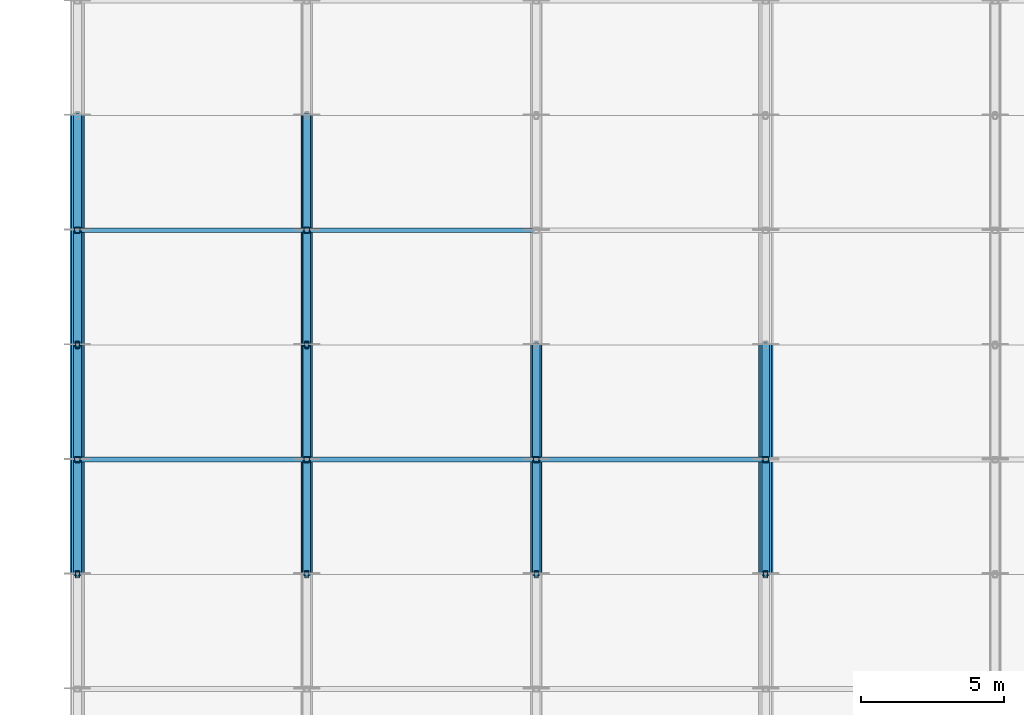
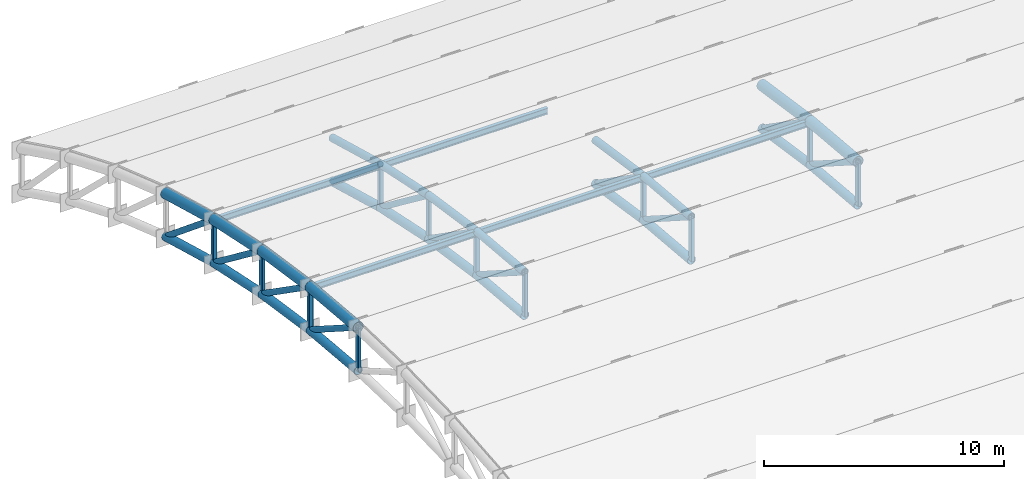
# One storey, part 15 of 98: 53 members.
"""IFC4 building model written with IfcOpenShell, lengths in metres."""

from ifc_helpers import new_model, si_unit, direction, frame, origin, origin_2d, place, context, subcontext, project, spatial, hollow_rectangle, hollow_circle, i_section, extrude, material, material_profile, profile_set, type_object, element, save


model = new_model("IFC4")

# Units and contexts
model_context = context("Model", 3, precision=1e-05, world=origin(), true_north=direction((0.0, 1.0)))
body_context = subcontext(model_context, "Body", "Model", "MODEL_VIEW")
ifc_project = project(units=[si_unit("LENGTHUNIT", "METRE"), si_unit("AREAUNIT", "SQUARE_METRE"), si_unit("VOLUMEUNIT", "CUBIC_METRE"), si_unit("PLANEANGLEUNIT", "RADIAN"), si_unit("MASSUNIT", "GRAM", prefix="KILO")], contexts=[model_context])

# Site, building, storey
site_placement = place(None, origin())
site = spatial("IfcSite", under=ifc_project, at=site_placement, CompositionType="ELEMENT")
building_placement = place(site_placement, origin())
building = spatial("IfcBuilding", under=site, at=building_placement, Name="Tlacozan Convention Centre", CompositionType="ELEMENT")
storey_placement = place(building_placement, frame((0.0, 0.0, 25.800048828125)))
storey = spatial("IfcBuildingStorey", under=building, at=storey_placement, Name="Roof", CompositionType="ELEMENT", Elevation=25.800048828125)

# Members
ifc_material_1 = material(Name="Steel ASTM A500 Grade C", Category="steel")
ifc_material_profile_1 = material_profile(ifc_material_1, hollow_circle(Radius=0.203125, WallThickness=0.015869140625, at=origin_2d()), Name="OC 406.4x15.9")
ifc_profile_set_1 = profile_set([ifc_material_profile_1], Name="Steel ASTM A500 Grade C")
member_type_1 = type_object("IfcMemberType", Name="Arch Bottom Chord OC 406.4x15.9", PredefinedType="CHORD", material=ifc_profile_set_1)
member_1_placement = place(storey_placement, frame((0.0, 98.0, -4.917724609375), z_axis=(0.0, 0.996095959668, -0.088277058926), x_axis=(-1.0, 0.0, 0.0)))
element("IfcMember", 1, at=member_1_placement, inside=storey, type_object=member_type_1, Name="V2A Roof Truss 1 Bottom Chord 10", PredefinedType="CHORD", context=body_context, shape_type="SweptSolid", body=[
    extrude(hollow_circle(Radius=0.203125, WallThickness=0.015869140625, at=origin_2d()), origin(), (0.0, 0.0, 1.0), 4.015625),
])
member_2_placement = place(storey_placement, frame((0.0, 102.0, -5.272216796875), z_axis=(0.0, 0.98911804631, -0.147124064872), x_axis=(-1.0, 0.0, 0.0)))
element("IfcMember", 2, at=member_2_placement, inside=storey, type_object=member_type_1, Name="V2A Roof Truss 1 Bottom Chord 11", PredefinedType="CHORD", context=body_context, shape_type="SweptSolid", body=[
    extrude(hollow_circle(Radius=0.203125, WallThickness=0.015869140625, at=origin_2d()), origin(), (0.0, 0.0, 1.0), 4.0439453125),
])
member_3_placement = place(storey_placement, frame((0.0, 106.0, -5.8671875), z_axis=(0.0, 0.978552953366, -0.205995430674), x_axis=(-1.0, 0.0, 0.0)))
element("IfcMember", 3, at=member_3_placement, inside=storey, type_object=member_type_1, Name="V2A Roof Truss 1 Bottom Chord 12", PredefinedType="CHORD", context=body_context, shape_type="SweptSolid", body=[
    extrude(hollow_circle(Radius=0.203125, WallThickness=0.015869140625, at=origin_2d()), origin(), (0.0, 0.0, 1.0), 4.087646484375),
])
member_4_placement = place(storey_placement, frame((0.0, 110.0, -6.709228515625), z_axis=(0.0, 0.964289609145, -0.26485005134), x_axis=(-1.0, 0.0, 0.0)))
element("IfcMember", 4, at=member_4_placement, inside=storey, type_object=member_type_1, Name="V2A Roof Truss 1 Bottom Chord 13", PredefinedType="CHORD", context=body_context, shape_type="SweptSolid", body=[
    extrude(hollow_circle(Radius=0.203125, WallThickness=0.015869140625, at=origin_2d()), origin(), (0.0, 0.0, 1.0), 4.148193359375),
])
member_5_placement = place(storey_placement, frame((8.0, 98.0, -4.917724609375), z_axis=(0.0, 0.996095959668, -0.088277058926), x_axis=(-1.0, 0.0, 0.0)))
element("IfcMember", 5, at=member_5_placement, inside=storey, type_object=member_type_1, Name="V2A Roof Truss 2 Bottom Chord 10", PredefinedType="CHORD", context=body_context, shape_type="SweptSolid", body=[
    extrude(hollow_circle(Radius=0.203125, WallThickness=0.015869140625, at=origin_2d()), origin(), (0.0, 0.0, 1.0), 4.015625),
])
member_6_placement = place(storey_placement, frame((8.0, 102.0, -5.272216796875), z_axis=(0.0, 0.98911804631, -0.147124064872), x_axis=(-1.0, 0.0, 0.0)))
element("IfcMember", 6, at=member_6_placement, inside=storey, type_object=member_type_1, Name="V2A Roof Truss 2 Bottom Chord 11", PredefinedType="CHORD", context=body_context, shape_type="SweptSolid", body=[
    extrude(hollow_circle(Radius=0.203125, WallThickness=0.015869140625, at=origin_2d()), origin(), (0.0, 0.0, 1.0), 4.0439453125),
])
member_7_placement = place(storey_placement, frame((8.0, 106.0, -5.8671875), z_axis=(0.0, 0.978552953366, -0.205995430674), x_axis=(-1.0, 0.0, 0.0)))
element("IfcMember", 7, at=member_7_placement, inside=storey, type_object=member_type_1, Name="V2A Roof Truss 2 Bottom Chord 12", PredefinedType="CHORD", context=body_context, shape_type="SweptSolid", body=[
    extrude(hollow_circle(Radius=0.203125, WallThickness=0.015869140625, at=origin_2d()), origin(), (0.0, 0.0, 1.0), 4.087646484375),
])
member_8_placement = place(storey_placement, frame((8.0, 110.0, -6.709228515625), z_axis=(0.0, 0.964289609145, -0.26485005134), x_axis=(-1.0, 0.0, 0.0)))
element("IfcMember", 8, at=member_8_placement, inside=storey, type_object=member_type_1, Name="V2A Roof Truss 2 Bottom Chord 13", PredefinedType="CHORD", context=body_context, shape_type="SweptSolid", body=[
    extrude(hollow_circle(Radius=0.203125, WallThickness=0.015869140625, at=origin_2d()), origin(), (0.0, 0.0, 1.0), 4.148193359375),
])
member_9_placement = place(storey_placement, frame((16.0, 98.0, -4.917724609375), z_axis=(0.0, 0.996095959668, -0.088277058926), x_axis=(-1.0, 0.0, 0.0)))
element("IfcMember", 9, at=member_9_placement, inside=storey, type_object=member_type_1, Name="V2A Roof Truss 3 Bottom Chord 10", PredefinedType="CHORD", context=body_context, shape_type="SweptSolid", body=[
    extrude(hollow_circle(Radius=0.203125, WallThickness=0.015869140625, at=origin_2d()), origin(), (0.0, 0.0, 1.0), 4.015625),
])
member_10_placement = place(storey_placement, frame((16.0, 102.0, -5.272216796875), z_axis=(0.0, 0.98911804631, -0.147124064872), x_axis=(-1.0, 0.0, 0.0)))
element("IfcMember", 10, at=member_10_placement, inside=storey, type_object=member_type_1, Name="V2A Roof Truss 3 Bottom Chord 11", PredefinedType="CHORD", context=body_context, shape_type="SweptSolid", body=[
    extrude(hollow_circle(Radius=0.203125, WallThickness=0.015869140625, at=origin_2d()), origin(), (0.0, 0.0, 1.0), 4.0439453125),
])
member_11_placement = place(storey_placement, frame((24.0, 98.0, -4.917724609375), z_axis=(0.0, 0.996095959668, -0.088277058926), x_axis=(-1.0, 0.0, 0.0)))
element("IfcMember", 11, at=member_11_placement, inside=storey, type_object=member_type_1, Name="V2A Roof Truss 4 Bottom Chord 10", PredefinedType="CHORD", context=body_context, shape_type="SweptSolid", body=[
    extrude(hollow_circle(Radius=0.203125, WallThickness=0.015869140625, at=origin_2d()), origin(), (0.0, 0.0, 1.0), 4.015625),
])
member_12_placement = place(storey_placement, frame((24.0, 102.0, -5.272216796875), z_axis=(0.0, 0.98911804631, -0.147124064872), x_axis=(-1.0, 0.0, 0.0)))
element("IfcMember", 12, at=member_12_placement, inside=storey, type_object=member_type_1, Name="V2A Roof Truss 4 Bottom Chord 11", PredefinedType="CHORD", context=body_context, shape_type="SweptSolid", body=[
    extrude(hollow_circle(Radius=0.203125, WallThickness=0.015869140625, at=origin_2d()), origin(), (0.0, 0.0, 1.0), 4.0439453125),
])
ifc_material_profile_2 = material_profile(ifc_material_1, hollow_circle(Radius=0.25390625, WallThickness=0.01904296875, at=origin_2d()), Name="OC 508.0x19.1")
ifc_profile_set_2 = profile_set([ifc_material_profile_2], Name="Steel ASTM A500 Grade C")
member_type_2 = type_object("IfcMemberType", Name="Arch Top Chord OC 508x19.1", PredefinedType="CHORD", material=ifc_profile_set_2)
member_13_placement = place(storey_placement, frame((0.0, 98.0, -2.7177734375), z_axis=(0.0, 0.996095959668, -0.088277058926), x_axis=(-1.0, 0.0, 0.0)))
element("IfcMember", 13, at=member_13_placement, inside=storey, type_object=member_type_2, Name="V2A Roof Truss 1 Top Chord 10", PredefinedType="CHORD", context=body_context, shape_type="SweptSolid", body=[
    extrude(hollow_circle(Radius=0.25390625, WallThickness=0.01904296875, at=origin_2d()), origin(), (0.0, 0.0, 1.0), 4.015625),
])
member_14_placement = place(storey_placement, frame((0.0, 102.0, -3.072265625), z_axis=(0.0, 0.98911804631, -0.147124064872), x_axis=(-1.0, 0.0, 0.0)))
element("IfcMember", 14, at=member_14_placement, inside=storey, type_object=member_type_2, Name="V2A Roof Truss 1 Top Chord 11", PredefinedType="CHORD", context=body_context, shape_type="SweptSolid", body=[
    extrude(hollow_circle(Radius=0.25390625, WallThickness=0.01904296875, at=origin_2d()), origin(), (0.0, 0.0, 1.0), 4.0439453125),
])
member_15_placement = place(storey_placement, frame((0.0, 106.0, -3.667236328125), z_axis=(0.0, 0.978552953366, -0.205995430674), x_axis=(-1.0, 0.0, 0.0)))
element("IfcMember", 15, at=member_15_placement, inside=storey, type_object=member_type_2, Name="V2A Roof Truss 1 Top Chord 12", PredefinedType="CHORD", context=body_context, shape_type="SweptSolid", body=[
    extrude(hollow_circle(Radius=0.25390625, WallThickness=0.01904296875, at=origin_2d()), origin(), (0.0, 0.0, 1.0), 4.087646484375),
])
member_16_placement = place(storey_placement, frame((0.0, 110.0, -4.50927734375), z_axis=(0.0, 0.964304639076, -0.264795322949), x_axis=(-1.0, 0.0, 0.0)))
element("IfcMember", 16, at=member_16_placement, inside=storey, type_object=member_type_2, Name="V2A Roof Truss 1 Top Chord 13", PredefinedType="CHORD", context=body_context, shape_type="SweptSolid", body=[
    extrude(hollow_circle(Radius=0.25390625, WallThickness=0.01904296875, at=origin_2d()), origin(), (0.0, 0.0, 1.0), 4.14794921875),
])
member_17_placement = place(storey_placement, frame((24.0, 98.0, -2.7177734375), z_axis=(0.0, 0.996095959668, -0.088277058926), x_axis=(-1.0, 0.0, 0.0)))
element("IfcMember", 17, at=member_17_placement, inside=storey, type_object=member_type_2, Name="V2A Roof Truss 4 Top Chord 10", PredefinedType="CHORD", context=body_context, shape_type="SweptSolid", body=[
    extrude(hollow_circle(Radius=0.25390625, WallThickness=0.01904296875, at=origin_2d()), origin(), (0.0, 0.0, 1.0), 4.015625),
])
member_18_placement = place(storey_placement, frame((24.0, 102.0, -3.072265625), z_axis=(0.0, 0.98911804631, -0.147124064872), x_axis=(-1.0, 0.0, 0.0)))
element("IfcMember", 18, at=member_18_placement, inside=storey, type_object=member_type_2, Name="V2A Roof Truss 4 Top Chord 11", PredefinedType="CHORD", context=body_context, shape_type="SweptSolid", body=[
    extrude(hollow_circle(Radius=0.25390625, WallThickness=0.01904296875, at=origin_2d()), origin(), (0.0, 0.0, 1.0), 4.0439453125),
])
ifc_material_profile_3 = material_profile(ifc_material_1, hollow_circle(Radius=0.136474609375, WallThickness=0.0126953125, at=origin_2d()), Name="OC 273.1x12.7")
ifc_profile_set_3 = profile_set([ifc_material_profile_3], Name="Steel ASTM A500 Grade C")
member_type_3 = type_object("IfcMemberType", Name="Arch Web Diagonal OC 273.1x12.7", PredefinedType="BRACE", material=ifc_profile_set_3)
member_19_placement = place(storey_placement, frame((0.0, 98.0, -2.7177734375), z_axis=(0.0, 0.842802563321, -0.538222852785), x_axis=(-1.0, 0.0, 0.0)))
element("IfcMember", 19, at=member_19_placement, inside=storey, type_object=member_type_3, Name="V2A Roof Truss 1 Web Diagonal 10", PredefinedType="BRACE", context=body_context, shape_type="SweptSolid", body=[
    extrude(hollow_circle(Radius=0.136474609375, WallThickness=0.0126953125, at=origin_2d()), origin(), (0.0, 0.0, 1.0), 4.74609375),
])
member_20_placement = place(storey_placement, frame((0.0, 102.0, -3.072265625), z_axis=(0.0, 0.819720523855, -0.572763705877), x_axis=(-1.0, 0.0, 0.0)))
element("IfcMember", 20, at=member_20_placement, inside=storey, type_object=member_type_3, Name="V2A Roof Truss 1 Web Diagonal 11", PredefinedType="BRACE", context=body_context, shape_type="SweptSolid", body=[
    extrude(hollow_circle(Radius=0.136474609375, WallThickness=0.0126953125, at=origin_2d()), origin(), (0.0, 0.0, 1.0), 4.879638671875),
])
member_21_placement = place(storey_placement, frame((0.0, 106.0, -3.667236328125), z_axis=(0.0, 0.795971176065, -0.605334524766), x_axis=(-1.0, 0.0, 0.0)))
element("IfcMember", 21, at=member_21_placement, inside=storey, type_object=member_type_3, Name="V2A Roof Truss 1 Web Diagonal 12", PredefinedType="BRACE", context=body_context, shape_type="SweptSolid", body=[
    extrude(hollow_circle(Radius=0.136474609375, WallThickness=0.0126953125, at=origin_2d()), origin(), (0.0, 0.0, 1.0), 5.025390625),
])
member_22_placement = place(storey_placement, frame((0.0, 110.0, -4.50927734375), z_axis=(0.0, 0.771507331308, -0.63622043172), x_axis=(-1.0, 0.0, 0.0)))
element("IfcMember", 22, at=member_22_placement, inside=storey, type_object=member_type_3, Name="V2A Roof Truss 1 Web Diagonal 13", PredefinedType="BRACE", context=body_context, shape_type="SweptSolid", body=[
    extrude(hollow_circle(Radius=0.136474609375, WallThickness=0.0126953125, at=origin_2d()), origin(), (0.0, 0.0, 1.0), 5.1845703125),
])
member_23_placement = place(storey_placement, frame((8.0, 98.0, -2.7177734375), z_axis=(0.0, 0.842802563321, -0.538222852785), x_axis=(-1.0, 0.0, 0.0)))
element("IfcMember", 23, at=member_23_placement, inside=storey, type_object=member_type_3, Name="V2A Roof Truss 2 Web Diagonal 10", PredefinedType="BRACE", context=body_context, shape_type="SweptSolid", body=[
    extrude(hollow_circle(Radius=0.136474609375, WallThickness=0.0126953125, at=origin_2d()), origin(), (0.0, 0.0, 1.0), 4.74609375),
])
member_24_placement = place(storey_placement, frame((8.0, 102.0, -3.072265625), z_axis=(0.0, 0.819720523855, -0.572763705877), x_axis=(-1.0, 0.0, 0.0)))
element("IfcMember", 24, at=member_24_placement, inside=storey, type_object=member_type_3, Name="V2A Roof Truss 2 Web Diagonal 11", PredefinedType="BRACE", context=body_context, shape_type="SweptSolid", body=[
    extrude(hollow_circle(Radius=0.136474609375, WallThickness=0.0126953125, at=origin_2d()), origin(), (0.0, 0.0, 1.0), 4.879638671875),
])
member_25_placement = place(storey_placement, frame((8.0, 106.0, -3.667236328125), z_axis=(0.0, 0.795971176065, -0.605334524766), x_axis=(-1.0, 0.0, 0.0)))
element("IfcMember", 25, at=member_25_placement, inside=storey, type_object=member_type_3, Name="V2A Roof Truss 2 Web Diagonal 12", PredefinedType="BRACE", context=body_context, shape_type="SweptSolid", body=[
    extrude(hollow_circle(Radius=0.136474609375, WallThickness=0.0126953125, at=origin_2d()), origin(), (0.0, 0.0, 1.0), 5.025390625),
])
member_26_placement = place(storey_placement, frame((8.0, 110.0, -4.50927734375), z_axis=(0.0, 0.771507331308, -0.63622043172), x_axis=(-1.0, 0.0, 0.0)))
element("IfcMember", 26, at=member_26_placement, inside=storey, type_object=member_type_3, Name="V2A Roof Truss 2 Web Diagonal 13", PredefinedType="BRACE", context=body_context, shape_type="SweptSolid", body=[
    extrude(hollow_circle(Radius=0.136474609375, WallThickness=0.0126953125, at=origin_2d()), origin(), (0.0, 0.0, 1.0), 5.1845703125),
])
member_27_placement = place(storey_placement, frame((16.0, 98.0, -2.7177734375), z_axis=(0.0, 0.842802563321, -0.538222852785), x_axis=(-1.0, 0.0, 0.0)))
element("IfcMember", 27, at=member_27_placement, inside=storey, type_object=member_type_3, Name="V2A Roof Truss 3 Web Diagonal 10", PredefinedType="BRACE", context=body_context, shape_type="SweptSolid", body=[
    extrude(hollow_circle(Radius=0.136474609375, WallThickness=0.0126953125, at=origin_2d()), origin(), (0.0, 0.0, 1.0), 4.74609375),
])
member_28_placement = place(storey_placement, frame((16.0, 102.0, -3.072265625), z_axis=(0.0, 0.819720523855, -0.572763705877), x_axis=(-1.0, 0.0, 0.0)))
element("IfcMember", 28, at=member_28_placement, inside=storey, type_object=member_type_3, Name="V2A Roof Truss 3 Web Diagonal 11", PredefinedType="BRACE", context=body_context, shape_type="SweptSolid", body=[
    extrude(hollow_circle(Radius=0.136474609375, WallThickness=0.0126953125, at=origin_2d()), origin(), (0.0, 0.0, 1.0), 4.879638671875),
])
member_29_placement = place(storey_placement, frame((24.0, 98.0, -2.7177734375), z_axis=(0.0, 0.842802563321, -0.538222852785), x_axis=(-1.0, 0.0, 0.0)))
element("IfcMember", 29, at=member_29_placement, inside=storey, type_object=member_type_3, Name="V2A Roof Truss 4 Web Diagonal 10", PredefinedType="BRACE", context=body_context, shape_type="SweptSolid", body=[
    extrude(hollow_circle(Radius=0.136474609375, WallThickness=0.0126953125, at=origin_2d()), origin(), (0.0, 0.0, 1.0), 4.74609375),
])
member_30_placement = place(storey_placement, frame((24.0, 102.0, -3.072265625), z_axis=(0.0, 0.819720523855, -0.572763705877), x_axis=(-1.0, 0.0, 0.0)))
element("IfcMember", 30, at=member_30_placement, inside=storey, type_object=member_type_3, Name="V2A Roof Truss 4 Web Diagonal 11", PredefinedType="BRACE", context=body_context, shape_type="SweptSolid", body=[
    extrude(hollow_circle(Radius=0.136474609375, WallThickness=0.0126953125, at=origin_2d()), origin(), (0.0, 0.0, 1.0), 4.879638671875),
])
ifc_material_profile_4 = material_profile(ifc_material_1, hollow_rectangle(XDim=0.203125, YDim=0.203125, WallThickness=0.0126953125, InnerFilletRadius=0.0126953125, OuterFilletRadius=0.02490234375, at=origin_2d()), Name="OR 203x203x12.7")
ifc_profile_set_4 = profile_set([ifc_material_profile_4], Name="Steel ASTM A500 Grade C")
member_type_4 = type_object("IfcMemberType", Name="Arch Web Strut OR 203x203x12.7", PredefinedType="STRUT", material=ifc_profile_set_4)
for number, where, z_axis, x_axis, name in (
    (31, (0.0, 102.0, -5.272216796875), (0.0, 0.0, 1.0), (1.0, 0.0, 0.0), "V2A Roof Truss 1 Vertical Strut 11"),
    (32, (0.0, 110.0, -6.709228515625), (0.0, 0.0, 1.0), (1.0, 0.0, 0.0), "V2A Roof Truss 1 Vertical Strut 13"),
    (33, (8.0, 102.0, -5.272216796875), (0.0, 0.0, 1.0), (1.0, 0.0, 0.0), "V2A Roof Truss 2 Vertical Strut 11"),
    (34, (8.0, 110.0, -6.709228515625), (0.0, 0.0, 1.0), (1.0, 0.0, 0.0), "V2A Roof Truss 2 Vertical Strut 13"),
    (35, (16.0, 102.0, -5.272216796875), (0.0, 0.0, 1.0), (1.0, 0.0, 0.0), "V2A Roof Truss 3 Vertical Strut 11"),
    (36, (24.0, 102.0, -5.272216796875), (0.0, 0.0, 1.0), (1.0, 0.0, 0.0), "V2A Roof Truss 4 Vertical Strut 11"),
):
    element("IfcMember", number, at=place(storey_placement, frame(where, z_axis=z_axis, x_axis=x_axis)), inside=storey, type_object=member_type_4, Name=name, PredefinedType="STRUT", context=body_context, shape_type="SweptSolid", body=[
        extrude(hollow_rectangle(XDim=0.203125, YDim=0.203125, WallThickness=0.0126953125, InnerFilletRadius=0.0126953125, OuterFilletRadius=0.02490234375, at=origin_2d()), origin(), (0.0, 0.0, 1.0), 2.199951171875),
    ])
ifc_material_2 = material(Name="Steel ASTM A992 Grade 50", Category="steel")
ifc_material_profile_5 = material_profile(ifc_material_2, i_section(OverallWidth=0.1669921875, OverallDepth=0.31689453125, WebThickness=0.007568359375, FlangeThickness=0.01318359375, FilletRadius=0.010009765625, at=origin_2d()), Name="IR 305x52.2")
ifc_profile_set_5 = profile_set([ifc_material_profile_5], Name="Steel ASTM A992 Grade 50")
member_type_5 = type_object("IfcMemberType", Name="Roof Purlin IR 305x52.2", PredefinedType="PURLIN", material=ifc_profile_set_5)
for number, where, z_axis, x_axis, name in (
    (37, (0.0, 102.0, -3.13720703125), (1.0, 0.0, 0.0), (0.0, 1.0, 0.0), "V2A Roof Truss Purlin 1.11"),
    (38, (0.0, 110.0, -4.57421875), (1.0, 0.0, 0.0), (0.0, 1.0, 0.0), "V2A Roof Truss Purlin 1.13"),
    (39, (8.0, 102.0, -3.13720703125), (1.0, 0.0, 0.0), (0.0, 1.0, 0.0), "V2A Roof Truss Purlin 2.11"),
    (40, (8.0, 110.0, -4.57421875), (1.0, 0.0, 0.0), (0.0, 1.0, 0.0), "V2A Roof Truss Purlin 2.13"),
    (41, (16.0, 102.0, -3.13720703125), (1.0, 0.0, 0.0), (0.0, 1.0, 0.0), "V2A Roof Truss Purlin 3.11"),
):
    element("IfcMember", number, at=place(storey_placement, frame(where, z_axis=z_axis, x_axis=x_axis)), inside=storey, type_object=member_type_5, Name=name, PredefinedType="PURLIN", context=body_context, shape_type="SweptSolid", body=[
        extrude(i_section(OverallWidth=0.1669921875, OverallDepth=0.31689453125, WebThickness=0.007568359375, FlangeThickness=0.01318359375, FilletRadius=0.010009765625, at=origin_2d()), origin(), (0.0, 0.0, 1.0), 8.0),
    ])
ifc_material_profile_6 = material_profile(ifc_material_1, hollow_circle(Radius=0.177734375, WallThickness=0.015869140625, at=origin_2d()), Name="OC 355.6x15.9")
ifc_profile_set_6 = profile_set([ifc_material_profile_6], Name="Steel ASTM A500 Grade C")
member_type_6 = type_object("IfcMemberType", Name="Secondary Arch Chord OC 355.6x15.9", PredefinedType="CHORD", material=ifc_profile_set_6)
member_31_placement = place(storey_placement, frame((8.0, 98.0, -2.7177734375), z_axis=(0.0, 0.996095959668, -0.088277058926), x_axis=(-1.0, 0.0, 0.0)))
element("IfcMember", 42, at=member_31_placement, inside=storey, type_object=member_type_6, Name="V2A Roof Truss 2 Top Chord 10", PredefinedType="CHORD", context=body_context, shape_type="SweptSolid", body=[
    extrude(hollow_circle(Radius=0.177734375, WallThickness=0.015869140625, at=origin_2d()), origin(), (0.0, 0.0, 1.0), 4.015625),
])
member_32_placement = place(storey_placement, frame((8.0, 102.0, -3.072265625), z_axis=(0.0, 0.98911804631, -0.147124064872), x_axis=(-1.0, 0.0, 0.0)))
element("IfcMember", 43, at=member_32_placement, inside=storey, type_object=member_type_6, Name="V2A Roof Truss 2 Top Chord 11", PredefinedType="CHORD", context=body_context, shape_type="SweptSolid", body=[
    extrude(hollow_circle(Radius=0.177734375, WallThickness=0.015869140625, at=origin_2d()), origin(), (0.0, 0.0, 1.0), 4.0439453125),
])
member_33_placement = place(storey_placement, frame((8.0, 106.0, -3.667236328125), z_axis=(0.0, 0.978552953366, -0.205995430674), x_axis=(-1.0, 0.0, 0.0)))
element("IfcMember", 44, at=member_33_placement, inside=storey, type_object=member_type_6, Name="V2A Roof Truss 2 Top Chord 12", PredefinedType="CHORD", context=body_context, shape_type="SweptSolid", body=[
    extrude(hollow_circle(Radius=0.177734375, WallThickness=0.015869140625, at=origin_2d()), origin(), (0.0, 0.0, 1.0), 4.087646484375),
])
member_34_placement = place(storey_placement, frame((8.0, 110.0, -4.50927734375), z_axis=(0.0, 0.964304639076, -0.264795322949), x_axis=(-1.0, 0.0, 0.0)))
element("IfcMember", 45, at=member_34_placement, inside=storey, type_object=member_type_6, Name="V2A Roof Truss 2 Top Chord 13", PredefinedType="CHORD", context=body_context, shape_type="SweptSolid", body=[
    extrude(hollow_circle(Radius=0.177734375, WallThickness=0.015869140625, at=origin_2d()), origin(), (0.0, 0.0, 1.0), 4.14794921875),
])
member_35_placement = place(storey_placement, frame((16.0, 98.0, -2.7177734375), z_axis=(0.0, 0.996095959668, -0.088277058926), x_axis=(-1.0, 0.0, 0.0)))
element("IfcMember", 46, at=member_35_placement, inside=storey, type_object=member_type_6, Name="V2A Roof Truss 3 Top Chord 10", PredefinedType="CHORD", context=body_context, shape_type="SweptSolid", body=[
    extrude(hollow_circle(Radius=0.177734375, WallThickness=0.015869140625, at=origin_2d()), origin(), (0.0, 0.0, 1.0), 4.015625),
])
member_36_placement = place(storey_placement, frame((16.0, 102.0, -3.072265625), z_axis=(0.0, 0.98911804631, -0.147124064872), x_axis=(-1.0, 0.0, 0.0)))
element("IfcMember", 47, at=member_36_placement, inside=storey, type_object=member_type_6, Name="V2A Roof Truss 3 Top Chord 11", PredefinedType="CHORD", context=body_context, shape_type="SweptSolid", body=[
    extrude(hollow_circle(Radius=0.177734375, WallThickness=0.015869140625, at=origin_2d()), origin(), (0.0, 0.0, 1.0), 4.0439453125),
])
ifc_material_profile_7 = material_profile(ifc_material_1, hollow_rectangle(XDim=0.15234375, YDim=0.25390625, WallThickness=0.0126953125, InnerFilletRadius=0.0126953125, OuterFilletRadius=0.02490234375, at=origin_2d()), Name="OR 254x152x12.7")
ifc_profile_set_7 = profile_set([ifc_material_profile_7], Name="Steel ASTM A500 Grade C")
member_type_7 = type_object("IfcMemberType", Name="Truss Secondary Strut OR 254x152x12.7", PredefinedType="STRUT", material=ifc_profile_set_7)
for number, where, z_axis, x_axis, name in (
    (48, (0.0, 98.0, -4.917724609375), (0.0, 0.0, 1.0), (1.0, 0.0, 0.0), "V2A Roof Truss 1 Vertical Strut 10"),
    (49, (0.0, 106.0, -5.8671875), (0.0, 0.0, 1.0), (1.0, 0.0, 0.0), "V2A Roof Truss 1 Vertical Strut 12"),
    (50, (8.0, 98.0, -4.917724609375), (0.0, 0.0, 1.0), (1.0, 0.0, 0.0), "V2A Roof Truss 2 Vertical Strut 10"),
    (51, (8.0, 106.0, -5.8671875), (0.0, 0.0, 1.0), (1.0, 0.0, 0.0), "V2A Roof Truss 2 Vertical Strut 12"),
    (52, (16.0, 98.0, -4.917724609375), (0.0, 0.0, 1.0), (1.0, 0.0, 0.0), "V2A Roof Truss 3 Vertical Strut 10"),
    (53, (24.0, 98.0, -4.917724609375), (0.0, 0.0, 1.0), (1.0, 0.0, 0.0), "V2A Roof Truss 4 Vertical Strut 10"),
):
    element("IfcMember", number, at=place(storey_placement, frame(where, z_axis=z_axis, x_axis=x_axis)), inside=storey, type_object=member_type_7, Name=name, PredefinedType="STRUT", context=body_context, shape_type="SweptSolid", body=[
        extrude(hollow_rectangle(XDim=0.15234375, YDim=0.25390625, WallThickness=0.0126953125, InnerFilletRadius=0.0126953125, OuterFilletRadius=0.02490234375, at=origin_2d()), origin(), (0.0, 0.0, 1.0), 2.199951171875),
    ])

save(model, "model.ifc")
